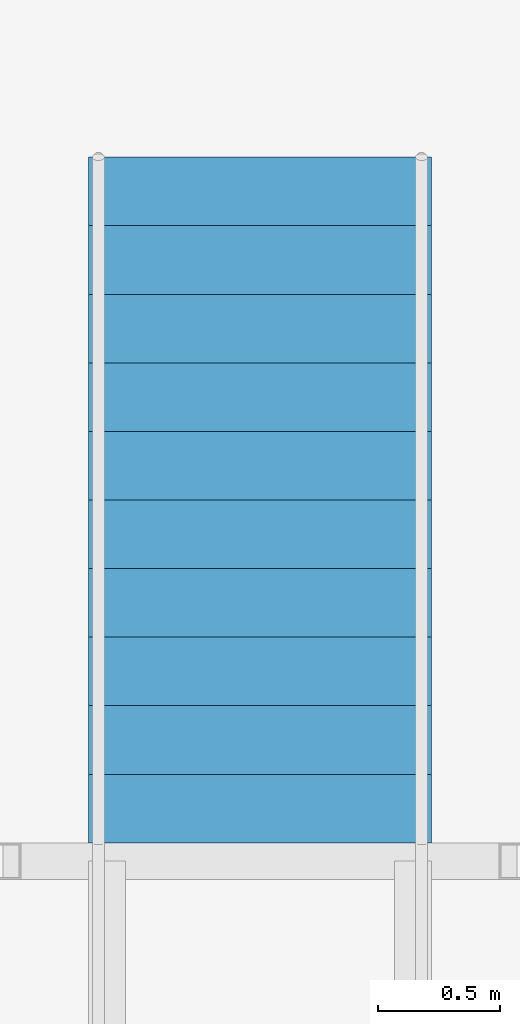
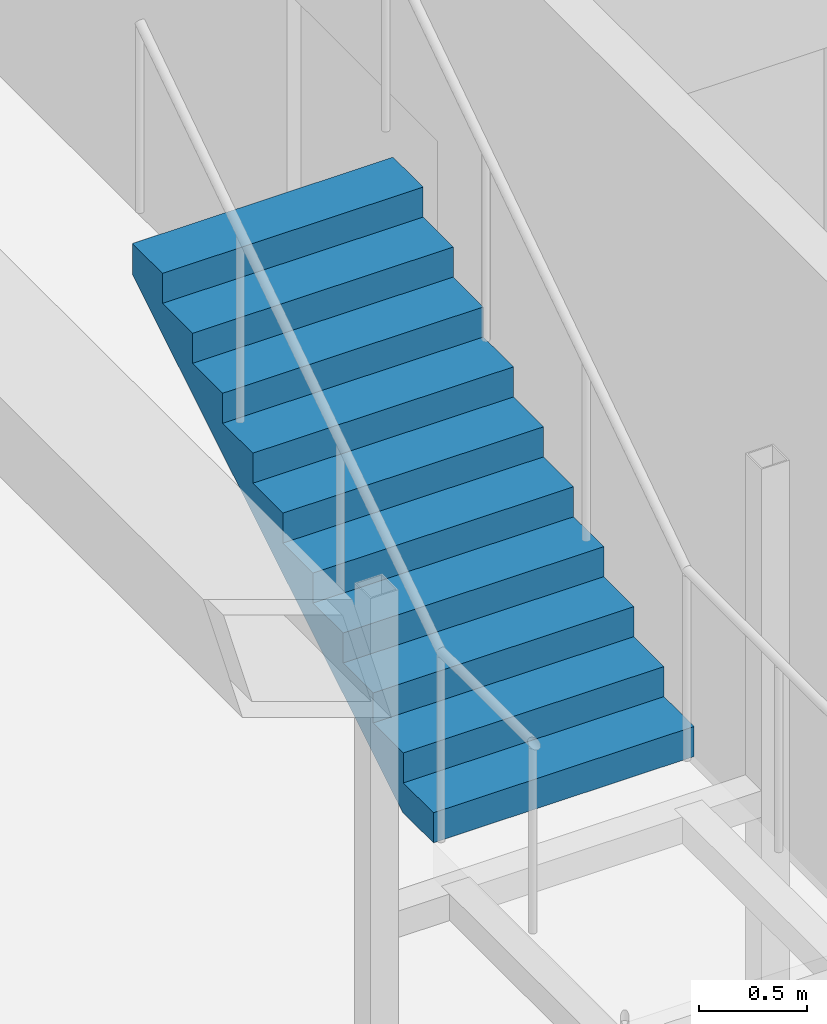
# One storey, part 28 of 29: 1 stair flight, 1 element without a shape of its own.
"""IFC4 building model written with IfcOpenShell, lengths in metres."""

from ifc_helpers import new_model, si_unit, direction, frame, origin, place, context, subcontext, project, spatial, triangles, material, type_object, element, aggregate, save


model = new_model("IFC4")

# Units and contexts
model_context = context("Model", 3, precision=1e-05, world=origin(), true_north=direction((0.0, 1.0)))
body_context = subcontext(model_context, "Body", "Model", "MODEL_VIEW")
ifc_project = project(units=[si_unit("LENGTHUNIT", "METRE"), si_unit("AREAUNIT", "SQUARE_METRE"), si_unit("VOLUMEUNIT", "CUBIC_METRE"), si_unit("PLANEANGLEUNIT", "RADIAN"), si_unit("MASSUNIT", "GRAM", prefix="KILO")], contexts=[model_context])

# Site, building, storey
site_placement = place(None, origin())
site = spatial("IfcSite", under=ifc_project, at=site_placement, CompositionType="ELEMENT")
building_placement = place(site_placement, origin())
building = spatial("IfcBuilding", under=site, at=building_placement, Name="Orbita Commons", CompositionType="ELEMENT")
storey_placement = place(building_placement, frame((0.0, 0.0, 163.60009765625)))
storey = spatial("IfcBuildingStorey", under=building, at=storey_placement, Name="L40", CompositionType="ELEMENT", Elevation=163.60009765625)

# Stair, stair flight
ifc_material_1 = material(Name="Steel ASTM A992 stringers, precast concrete C40/50 terrazzo treads", Category="concrete")
stair_type = type_object("IfcStairType", Name="Feature stair 22 risers 170 x 280 x 1400", PredefinedType="STRAIGHT_RUN_STAIR", material=ifc_material_1)
stair_placement = place(storey_placement, origin())
stair = element("IfcStair", 1, at=stair_placement, inside=storey, type_object=stair_type, Name="Neighbourhood stair L40 to L41", PredefinedType="STRAIGHT_RUN_STAIR")
ifc_material_2 = material(Name="Steel ASTM A992 stringers, precast concrete C40/50 terrazzo treads", Category="concrete")
stair_flight_type = type_object("IfcStairFlightType", Name="Feature stair flight 11 risers 170 x 1400", PredefinedType="STRAIGHT", material=ifc_material_2)
stair_flight_placement = place(storey_placement, frame((13.5, 42.31005859375, 1.875), z_axis=(0.0, 0.0, 1.0), x_axis=(0.0, 1.0, 0.0)))
stair_flight = element("IfcStairFlight", 2, at=stair_flight_placement, type_object=stair_flight_type, Name="FS flight 2", NumberOfRisers=11, NumberOfTreads=10, PredefinedType="STRAIGHT", RiserHeight=0.170454545, TreadLength=0.28, context=body_context, shape_type="Tessellation", body=[
    triangles([(0.0, 0.699951, 0.0), (0.0, 0.699951, 0.021307), (0.0, 0.583293, 0.021307), (0.0, 0.583293, 0.0), (0.0, 0.466634, 0.021307), (0.0, 0.466634, 0.0), (0.0, 0.349976, 0.021307), (0.0, 0.349976, 0.0), (0.0, 0.233317, 0.021307), (0.0, 0.233317, 0.0), (0.0, 0.116659, 0.021307), (0.0, 0.116659, 0.0), (0.0, 0.0, 0.021307), (0.0, 0.0, 0.0), (0.0, -0.116659, 0.021307), (0.0, -0.116659, 0.0), (0.0, -0.233317, 0.021307), (0.0, -0.233317, 0.0), (0.0, -0.349976, 0.021307), (0.0, -0.349976, 0.0), (0.0, -0.466634, 0.021307), (0.0, -0.466634, 0.0), (0.0, -0.583293, 0.021307), (0.0, -0.583293, 0.0), (0.0, -0.699951, 0.021307), (0.0, -0.699951, 0.0), (0.0, 0.699951, 0.042614), (0.0, 0.583293, 0.042614), (0.0, 0.466634, 0.042614), (0.0, 0.349976, 0.042614), (0.0, 0.233317, 0.042614), (0.0, 0.116659, 0.042614), (0.0, 0.0, 0.042614), (0.0, -0.116659, 0.042614), (0.0, -0.233317, 0.042614), (0.0, -0.349976, 0.042614), (0.0, -0.466634, 0.042614), (0.0, -0.583293, 0.042614), (0.0, -0.699951, 0.042614), (0.0, 0.699951, 0.06392), (0.0, 0.583293, 0.06392), (0.0, 0.466634, 0.06392), (0.0, 0.349976, 0.06392), (0.0, 0.233317, 0.06392), (0.0, 0.116659, 0.06392), (0.0, 0.0, 0.06392), (0.0, -0.116659, 0.06392), (0.0, -0.233317, 0.06392), (0.0, -0.349976, 0.06392), (0.0, -0.466634, 0.06392), (0.0, -0.583293, 0.06392), (0.0, -0.699951, 0.06392), (0.0, 0.699951, 0.085227), (0.0, 0.583293, 0.085227), (0.0, 0.466634, 0.085227), (0.0, 0.349976, 0.085227), (0.0, 0.233317, 0.085227), (0.0, 0.116659, 0.085227), (0.0, 0.0, 0.085227), (0.0, -0.116659, 0.085227), (0.0, -0.233317, 0.085227), (0.0, -0.349976, 0.085227), (0.0, -0.466634, 0.085227), (0.0, -0.583293, 0.085227), (0.0, -0.699951, 0.085227), (0.0, 0.699951, 0.106534), (0.0, 0.583293, 0.106534), (0.0, 0.466634, 0.106534), (0.0, 0.349976, 0.106534), (0.0, 0.233317, 0.106534), (0.0, 0.116659, 0.106534), (0.0, 0.0, 0.106534), (0.0, -0.116659, 0.106534), (0.0, -0.233317, 0.106534), (0.0, -0.349976, 0.106534), (0.0, -0.466634, 0.106534), (0.0, -0.583293, 0.106534), (0.0, -0.699951, 0.106534), (0.0, 0.699951, 0.127841), (0.0, 0.583293, 0.127841), (0.0, 0.466634, 0.127841), (0.0, 0.349976, 0.127841), (0.0, 0.233317, 0.127841), (0.0, 0.116659, 0.127841), (0.0, 0.0, 0.127841), (0.0, -0.116659, 0.127841), (0.0, -0.233317, 0.127841), (0.0, -0.349976, 0.127841), (0.0, -0.466634, 0.127841), (0.0, -0.583293, 0.127841), (0.0, -0.699951, 0.127841), (0.0, 0.699951, 0.149148), (0.0, 0.583293, 0.149148), (0.0, 0.466634, 0.149148), (0.0, 0.349976, 0.149148), (0.0, 0.233317, 0.149148), (0.0, 0.116659, 0.149148), (0.0, 0.0, 0.149148), (0.0, -0.116659, 0.149148), (0.0, -0.233317, 0.149148), (0.0, -0.349976, 0.149148), (0.0, -0.466634, 0.149148), (0.0, -0.583293, 0.149148), (0.0, -0.699951, 0.149148), (0.0, 0.699951, 0.170455), (0.0, 0.583293, 0.170455), (0.0, 0.466634, 0.170455), (0.0, 0.349976, 0.170455), (0.0, 0.233317, 0.170455), (0.0, 0.116659, 0.170455), (0.0, 0.0, 0.170455), (0.0, -0.116659, 0.170455), (0.0, -0.233317, 0.170455), (0.0, -0.349976, 0.170455), (0.0, -0.466634, 0.170455), (0.0, -0.583293, 0.170455), (0.0, -0.699951, 0.170455), (0.28, 0.699951, 0.170455), (0.28, 0.583293, 0.170455), (0.28, 0.466634, 0.170455), (0.28, 0.349976, 0.170455), (0.28, 0.233317, 0.170455), (0.28, 0.116659, 0.170455), (0.28, 0.0, 0.170455), (0.28, -0.116659, 0.170455), (0.28, -0.233317, 0.170455), (0.28, -0.349976, 0.170455), (0.28, -0.466634, 0.170455), (0.28, -0.583293, 0.170455), (0.28, -0.699951, 0.170455), (0.28, 0.699951, 0.340909), (0.28, 0.583293, 0.340909), (0.28, 0.466634, 0.340909), (0.28, 0.349976, 0.340909), (0.28, 0.233317, 0.340909), (0.28, 0.116659, 0.340909), (0.28, 0.0, 0.340909), (0.28, -0.116659, 0.340909), (0.28, -0.233317, 0.340909), (0.28, -0.349976, 0.340909), (0.28, -0.466634, 0.340909), (0.28, -0.583293, 0.340909), (0.28, -0.699951, 0.340909), (0.56, 0.699951, 0.340909), (0.56, 0.583293, 0.340909), (0.56, 0.466634, 0.340909), (0.56, 0.349976, 0.340909), (0.56, 0.233317, 0.340909), (0.56, 0.116659, 0.340909), (0.56, 0.0, 0.340909), (0.56, -0.116659, 0.340909), (0.56, -0.233317, 0.340909), (0.56, -0.349976, 0.340909), (0.56, -0.466634, 0.340909), (0.56, -0.583293, 0.340909), (0.56, -0.699951, 0.340909), (0.56, 0.699951, 0.511364), (0.56, 0.583293, 0.511364), (0.56, 0.466634, 0.511364), (0.56, 0.349976, 0.511364), (0.56, 0.233317, 0.511364), (0.56, 0.116659, 0.511364), (0.56, 0.0, 0.511364), (0.56, -0.116659, 0.511364), (0.56, -0.233317, 0.511364), (0.56, -0.349976, 0.511364), (0.56, -0.466634, 0.511364), (0.56, -0.583293, 0.511364), (0.56, -0.699951, 0.511364), (0.84, 0.699951, 0.511364), (0.84, 0.583293, 0.511364), (0.84, 0.466634, 0.511364), (0.84, 0.349976, 0.511364), (0.84, 0.233317, 0.511364), (0.84, 0.116659, 0.511364), (0.84, 0.0, 0.511364), (0.84, -0.116659, 0.511364), (0.84, -0.233317, 0.511364), (0.84, -0.349976, 0.511364), (0.84, -0.466634, 0.511364), (0.84, -0.583293, 0.511364), (0.84, -0.699951, 0.511364), (0.84, 0.699951, 0.681818), (0.84, 0.583293, 0.681818), (0.84, 0.466634, 0.681818), (0.84, 0.349976, 0.681818), (0.84, 0.233317, 0.681818), (0.84, 0.116659, 0.681818), (0.84, 0.0, 0.681818), (0.84, -0.116659, 0.681818), (0.84, -0.233317, 0.681818), (0.84, -0.349976, 0.681818), (0.84, -0.466634, 0.681818), (0.84, -0.583293, 0.681818), (0.84, -0.699951, 0.681818), (1.12, 0.699951, 0.681818), (1.12, 0.583293, 0.681818), (1.12, 0.466634, 0.681818), (1.12, 0.349976, 0.681818), (1.12, 0.233317, 0.681818), (1.12, 0.116659, 0.681818), (1.12, 0.0, 0.681818), (1.12, -0.116659, 0.681818), (1.12, -0.233317, 0.681818), (1.12, -0.349976, 0.681818), (1.12, -0.466634, 0.681818), (1.12, -0.583293, 0.681818), (1.12, -0.699951, 0.681818), (1.12, 0.699951, 0.852273), (1.12, 0.583293, 0.852273), (1.12, 0.466634, 0.852273), (1.12, 0.349976, 0.852273), (1.12, 0.233317, 0.852273), (1.12, 0.116659, 0.852273), (1.12, 0.0, 0.852273), (1.12, -0.116659, 0.852273), (1.12, -0.233317, 0.852273), (1.12, -0.349976, 0.852273), (1.12, -0.466634, 0.852273), (1.12, -0.583293, 0.852273), (1.12, -0.699951, 0.852273), (1.4, 0.699951, 0.852273), (1.4, 0.583293, 0.852273), (1.4, 0.466634, 0.852273), (1.4, 0.349976, 0.852273), (1.4, 0.233317, 0.852273), (1.4, 0.116659, 0.852273), (1.4, 0.0, 0.852273), (1.4, -0.116659, 0.852273), (1.4, -0.233317, 0.852273), (1.4, -0.349976, 0.852273), (1.4, -0.466634, 0.852273), (1.4, -0.583293, 0.852273), (1.4, -0.699951, 0.852273), (1.4, 0.699951, 1.022727), (1.4, 0.583293, 1.022727), (1.4, 0.466634, 1.022727), (1.4, 0.349976, 1.022727), (1.4, 0.233317, 1.022727), (1.4, 0.116659, 1.022727), (1.4, 0.0, 1.022727), (1.4, -0.116659, 1.022727), (1.4, -0.233317, 1.022727), (1.4, -0.349976, 1.022727), (1.4, -0.466634, 1.022727), (1.4, -0.583293, 1.022727), (1.4, -0.699951, 1.022727), (1.68, 0.699951, 1.022727), (1.68, 0.583293, 1.022727), (1.68, 0.466634, 1.022727), (1.68, 0.349976, 1.022727), (1.68, 0.233317, 1.022727), (1.68, 0.116659, 1.022727), (1.68, 0.0, 1.022727), (1.68, -0.116659, 1.022727), (1.68, -0.233317, 1.022727), (1.68, -0.349976, 1.022727), (1.68, -0.466634, 1.022727), (1.68, -0.583293, 1.022727), (1.68, -0.699951, 1.022727), (1.68, 0.699951, 1.193182), (1.68, 0.583293, 1.193182), (1.68, 0.466634, 1.193182), (1.68, 0.349976, 1.193182), (1.68, 0.233317, 1.193182), (1.68, 0.116659, 1.193182), (1.68, 0.0, 1.193182), (1.68, -0.116659, 1.193182), (1.68, -0.233317, 1.193182), (1.68, -0.349976, 1.193182), (1.68, -0.466634, 1.193182), (1.68, -0.583293, 1.193182), (1.68, -0.699951, 1.193182), (1.96, 0.699951, 1.193182), (1.96, 0.583293, 1.193182), (1.96, 0.466634, 1.193182), (1.96, 0.349976, 1.193182), (1.96, 0.233317, 1.193182), (1.96, 0.116659, 1.193182), (1.96, 0.0, 1.193182), (1.96, -0.116659, 1.193182), (1.96, -0.233317, 1.193182), (1.96, -0.349976, 1.193182), (1.96, -0.466634, 1.193182), (1.96, -0.583293, 1.193182), (1.96, -0.699951, 1.193182), (1.96, 0.699951, 1.363636), (1.96, 0.583293, 1.363636), (1.96, 0.466634, 1.363636), (1.96, 0.349976, 1.363636), (1.96, 0.233317, 1.363636), (1.96, 0.116659, 1.363636), (1.96, 0.0, 1.363636), (1.96, -0.116659, 1.363636), (1.96, -0.233317, 1.363636), (1.96, -0.349976, 1.363636), (1.96, -0.466634, 1.363636), (1.96, -0.583293, 1.363636), (1.96, -0.699951, 1.363636), (2.24, 0.699951, 1.363636), (2.24, 0.583293, 1.363636), (2.24, 0.466634, 1.363636), (2.24, 0.349976, 1.363636), (2.24, 0.233317, 1.363636), (2.24, 0.116659, 1.363636), (2.24, 0.0, 1.363636), (2.24, -0.116659, 1.363636), (2.24, -0.233317, 1.363636), (2.24, -0.349976, 1.363636), (2.24, -0.466634, 1.363636), (2.24, -0.583293, 1.363636), (2.24, -0.699951, 1.363636), (2.24, 0.699951, 1.534091), (2.24, 0.583293, 1.534091), (2.24, 0.466634, 1.534091), (2.24, 0.349976, 1.534091), (2.24, 0.233317, 1.534091), (2.24, 0.116659, 1.534091), (2.24, 0.0, 1.534091), (2.24, -0.116659, 1.534091), (2.24, -0.233317, 1.534091), (2.24, -0.349976, 1.534091), (2.24, -0.466634, 1.534091), (2.24, -0.583293, 1.534091), (2.24, -0.699951, 1.534091), (2.52, 0.699951, 1.534091), (2.52, 0.583293, 1.534091), (2.52, 0.466634, 1.534091), (2.52, 0.349976, 1.534091), (2.52, 0.233317, 1.534091), (2.52, 0.116659, 1.534091), (2.52, 0.0, 1.534091), (2.52, -0.116659, 1.534091), (2.52, -0.233317, 1.534091), (2.52, -0.349976, 1.534091), (2.52, -0.466634, 1.534091), (2.52, -0.583293, 1.534091), (2.52, -0.699951, 1.534091), (2.52, 0.699951, 1.704545), (2.52, 0.583293, 1.704545), (2.52, 0.466634, 1.704545), (2.52, 0.349976, 1.704545), (2.52, 0.233317, 1.704545), (2.52, 0.116659, 1.704545), (2.52, 0.0, 1.704545), (2.52, -0.116659, 1.704545), (2.52, -0.233317, 1.704545), (2.52, -0.349976, 1.704545), (2.52, -0.466634, 1.704545), (2.52, -0.583293, 1.704545), (2.52, -0.699951, 1.704545), (2.8, 0.699951, 1.704545), (2.8, 0.583293, 1.704545), (2.8, 0.466634, 1.704545), (2.8, 0.349976, 1.704545), (2.8, 0.233317, 1.704545), (2.8, 0.116659, 1.704545), (2.8, 0.0, 1.704545), (2.8, -0.116659, 1.704545), (2.8, -0.233317, 1.704545), (2.8, -0.349976, 1.704545), (2.8, -0.466634, 1.704545), (2.8, -0.583293, 1.704545), (2.8, -0.699951, 1.704545), (2.8, 0.699951, 1.682609), (2.8, 0.583293, 1.682609), (2.8, 0.466634, 1.682609), (2.8, 0.349976, 1.682609), (2.8, 0.233317, 1.682609), (2.8, 0.116659, 1.682609), (2.8, 0.0, 1.682609), (2.8, -0.116659, 1.682609), (2.8, -0.233317, 1.682609), (2.8, -0.349976, 1.682609), (2.8, -0.466634, 1.682609), (2.8, -0.583293, 1.682609), (2.8, -0.699951, 1.682609), (2.8, 0.699951, 1.660672), (2.8, 0.583293, 1.660672), (2.8, 0.466634, 1.660672), (2.8, 0.349976, 1.660672), (2.8, 0.233317, 1.660672), (2.8, 0.116659, 1.660672), (2.8, 0.0, 1.660672), (2.8, -0.116659, 1.660672), (2.8, -0.233317, 1.660672), (2.8, -0.349976, 1.660672), (2.8, -0.466634, 1.660672), (2.8, -0.583293, 1.660672), (2.8, -0.699951, 1.660672), (2.8, 0.699951, 1.638735), (2.8, 0.583293, 1.638735), (2.8, 0.466634, 1.638735), (2.8, 0.349976, 1.638735), (2.8, 0.233317, 1.638735), (2.8, 0.116659, 1.638735), (2.8, 0.0, 1.638735), (2.8, -0.116659, 1.638735), (2.8, -0.233317, 1.638735), (2.8, -0.349976, 1.638735), (2.8, -0.466634, 1.638735), (2.8, -0.583293, 1.638735), (2.8, -0.699951, 1.638735), (2.8, 0.699951, 1.616798), (2.8, 0.583293, 1.616798), (2.8, 0.466634, 1.616798), (2.8, 0.349976, 1.616798), (2.8, 0.233317, 1.616798), (2.8, 0.116659, 1.616798), (2.8, 0.0, 1.616798), (2.8, -0.116659, 1.616798), (2.8, -0.233317, 1.616798), (2.8, -0.349976, 1.616798), (2.8, -0.466634, 1.616798), (2.8, -0.583293, 1.616798), (2.8, -0.699951, 1.616798), (2.8, 0.699951, 1.594861), (2.8, 0.583293, 1.594861), (2.8, 0.466634, 1.594861), (2.8, 0.349976, 1.594861), (2.8, 0.233317, 1.594861), (2.8, 0.116659, 1.594861), (2.8, 0.0, 1.594861), (2.8, -0.116659, 1.594861), (2.8, -0.233317, 1.594861), (2.8, -0.349976, 1.594861), (2.8, -0.466634, 1.594861), (2.8, -0.583293, 1.594861), (2.8, -0.699951, 1.594861), (2.8, 0.699951, 1.572925), (2.8, 0.583293, 1.572925), (2.8, 0.466634, 1.572925), (2.8, 0.349976, 1.572925), (2.8, 0.233317, 1.572925), (2.8, 0.116659, 1.572925), (2.8, 0.0, 1.572925), (2.8, -0.116659, 1.572925), (2.8, -0.233317, 1.572925), (2.8, -0.349976, 1.572925), (2.8, -0.466634, 1.572925), (2.8, -0.583293, 1.572925), (2.8, -0.699951, 1.572925), (2.8, 0.699951, 1.550988), (2.8, 0.583293, 1.550988), (2.8, 0.466634, 1.550988), (2.8, 0.349976, 1.550988), (2.8, 0.233317, 1.550988), (2.8, 0.116659, 1.550988), (2.8, 0.0, 1.550988), (2.8, -0.116659, 1.550988), (2.8, -0.233317, 1.550988), (2.8, -0.349976, 1.550988), (2.8, -0.466634, 1.550988), (2.8, -0.583293, 1.550988), (2.8, -0.699951, 1.550988), (2.8, 0.699951, 1.529051), (2.8, 0.583293, 1.529051), (2.8, 0.466634, 1.529051), (2.8, 0.349976, 1.529051), (2.8, 0.233317, 1.529051), (2.8, 0.116659, 1.529051), (2.8, 0.0, 1.529051), (2.8, -0.116659, 1.529051), (2.8, -0.233317, 1.529051), (2.8, -0.349976, 1.529051), (2.8, -0.466634, 1.529051), (2.8, -0.583293, 1.529051), (2.8, -0.699951, 1.529051), (0.288279, 0.699951, 0.0), (0.288279, 0.583293, 0.0), (0.288279, 0.466634, 0.0), (0.288279, 0.349976, 0.0), (0.288279, 0.233317, 0.0), (0.288279, 0.116659, 0.0), (0.288279, 0.0, 0.0), (0.288279, -0.116659, 0.0), (0.288279, -0.233317, 0.0), (0.288279, -0.349976, 0.0), (0.288279, -0.466634, 0.0), (0.288279, -0.583293, 0.0), (0.288279, -0.699951, 0.0)], [[3, 2, 1], [4, 3, 1], [5, 3, 4], [6, 5, 4], [7, 5, 6], [8, 7, 6], [9, 7, 8], [10, 9, 8], [11, 9, 10], [12, 11, 10], [13, 11, 12], [14, 13, 12], [15, 13, 14], [16, 15, 14], [17, 15, 16], [18, 17, 16], [19, 17, 18], [20, 19, 18], [21, 19, 20], [22, 21, 20], [23, 21, 22], [24, 23, 22], [25, 23, 24], [26, 25, 24], [28, 27, 2], [3, 28, 2], [29, 28, 3], [5, 29, 3], [30, 29, 5], [7, 30, 5], [31, 30, 7], [9, 31, 7], [32, 31, 9], [11, 32, 9], [33, 32, 11], [13, 33, 11], [34, 33, 13], [15, 34, 13], [35, 34, 15], [17, 35, 15], [36, 35, 17], [19, 36, 17], [37, 36, 19], [21, 37, 19], [38, 37, 21], [23, 38, 21], [39, 38, 23], [25, 39, 23], [41, 40, 27], [28, 41, 27], [42, 41, 28], [29, 42, 28], [43, 42, 29], [30, 43, 29], [44, 43, 30], [31, 44, 30], [45, 44, 31], [32, 45, 31], [46, 45, 32], [33, 46, 32], [47, 46, 33], [34, 47, 33], [48, 47, 34], [35, 48, 34], [49, 48, 35], [36, 49, 35], [50, 49, 36], [37, 50, 36], [51, 50, 37], [38, 51, 37], [52, 51, 38], [39, 52, 38], [54, 53, 40], [41, 54, 40], [55, 54, 41], [42, 55, 41], [56, 55, 42], [43, 56, 42], [57, 56, 43], [44, 57, 43], [58, 57, 44], [45, 58, 44], [59, 58, 45], [46, 59, 45], [60, 59, 46], [47, 60, 46], [61, 60, 47], [48, 61, 47], [62, 61, 48], [49, 62, 48], [63, 62, 49], [50, 63, 49], [64, 63, 50], [51, 64, 50], [65, 64, 51], [52, 65, 51], [67, 66, 53], [54, 67, 53], [68, 67, 54], [55, 68, 54], [69, 68, 55], [56, 69, 55], [70, 69, 56], [57, 70, 56], [71, 70, 57], [58, 71, 57], [72, 71, 58], [59, 72, 58], [73, 72, 59], [60, 73, 59], [74, 73, 60], [61, 74, 60], [75, 74, 61], [62, 75, 61], [76, 75, 62], [63, 76, 62], [77, 76, 63], [64, 77, 63], [78, 77, 64], [65, 78, 64], [80, 79, 66], [67, 80, 66], [81, 80, 67], [68, 81, 67], [82, 81, 68], [69, 82, 68], [83, 82, 69], [70, 83, 69], [84, 83, 70], [71, 84, 70], [85, 84, 71], [72, 85, 71], [86, 85, 72], [73, 86, 72], [87, 86, 73], [74, 87, 73], [88, 87, 74], [75, 88, 74], [89, 88, 75], [76, 89, 75], [90, 89, 76], [77, 90, 76], [91, 90, 77], [78, 91, 77], [93, 92, 79], [80, 93, 79], [94, 93, 80], [81, 94, 80], [95, 94, 81], [82, 95, 81], [96, 95, 82], [83, 96, 82], [97, 96, 83], [84, 97, 83], [98, 97, 84], [85, 98, 84], [99, 98, 85], [86, 99, 85], [100, 99, 86], [87, 100, 86], [101, 100, 87], [88, 101, 87], [102, 101, 88], [89, 102, 88], [103, 102, 89], [90, 103, 89], [104, 103, 90], [91, 104, 90], [106, 105, 92], [93, 106, 92], [107, 106, 93], [94, 107, 93], [108, 107, 94], [95, 108, 94], [109, 108, 95], [96, 109, 95], [110, 109, 96], [97, 110, 96], [111, 110, 97], [98, 111, 97], [112, 111, 98], [99, 112, 98], [113, 112, 99], [100, 113, 99], [114, 113, 100], [101, 114, 100], [115, 114, 101], [102, 115, 101], [116, 115, 102], [103, 116, 102], [117, 116, 103], [104, 117, 103], [119, 118, 105], [106, 119, 105], [120, 119, 106], [107, 120, 106], [121, 120, 107], [108, 121, 107], [122, 121, 108], [109, 122, 108], [123, 122, 109], [110, 123, 109], [124, 123, 110], [111, 124, 110], [125, 124, 111], [112, 125, 111], [126, 125, 112], [113, 126, 112], [127, 126, 113], [114, 127, 113], [128, 127, 114], [115, 128, 114], [129, 128, 115], [116, 129, 115], [130, 129, 116], [117, 130, 116], [132, 131, 118], [119, 132, 118], [133, 132, 119], [120, 133, 119], [134, 133, 120], [121, 134, 120], [135, 134, 121], [122, 135, 121], [136, 135, 122], [123, 136, 122], [137, 136, 123], [124, 137, 123], [138, 137, 124], [125, 138, 124], [139, 138, 125], [126, 139, 125], [140, 139, 126], [127, 140, 126], [141, 140, 127], [128, 141, 127], [142, 141, 128], [129, 142, 128], [143, 142, 129], [130, 143, 129], [145, 144, 131], [132, 145, 131], [146, 145, 132], [133, 146, 132], [147, 146, 133], [134, 147, 133], [148, 147, 134], [135, 148, 134], [149, 148, 135], [136, 149, 135], [150, 149, 136], [137, 150, 136], [151, 150, 137], [138, 151, 137], [152, 151, 138], [139, 152, 138], [153, 152, 139], [140, 153, 139], [154, 153, 140], [141, 154, 140], [155, 154, 141], [142, 155, 141], [156, 155, 142], [143, 156, 142], [158, 157, 144], [145, 158, 144], [159, 158, 145], [146, 159, 145], [160, 159, 146], [147, 160, 146], [161, 160, 147], [148, 161, 147], [162, 161, 148], [149, 162, 148], [163, 162, 149], [150, 163, 149], [164, 163, 150], [151, 164, 150], [165, 164, 151], [152, 165, 151], [166, 165, 152], [153, 166, 152], [167, 166, 153], [154, 167, 153], [168, 167, 154], [155, 168, 154], [169, 168, 155], [156, 169, 155], [171, 170, 157], [158, 171, 157], [172, 171, 158], [159, 172, 158], [173, 172, 159], [160, 173, 159], [174, 173, 160], [161, 174, 160], [175, 174, 161], [162, 175, 161], [176, 175, 162], [163, 176, 162], [177, 176, 163], [164, 177, 163], [178, 177, 164], [165, 178, 164], [179, 178, 165], [166, 179, 165], [180, 179, 166], [167, 180, 166], [181, 180, 167], [168, 181, 167], [182, 181, 168], [169, 182, 168], [184, 183, 170], [171, 184, 170], [185, 184, 171], [172, 185, 171], [186, 185, 172], [173, 186, 172], [187, 186, 173], [174, 187, 173], [188, 187, 174], [175, 188, 174], [189, 188, 175], [176, 189, 175], [190, 189, 176], [177, 190, 176], [191, 190, 177], [178, 191, 177], [192, 191, 178], [179, 192, 178], [193, 192, 179], [180, 193, 179], [194, 193, 180], [181, 194, 180], [195, 194, 181], [182, 195, 181], [197, 196, 183], [184, 197, 183], [198, 197, 184], [185, 198, 184], [199, 198, 185], [186, 199, 185], [200, 199, 186], [187, 200, 186], [201, 200, 187], [188, 201, 187], [202, 201, 188], [189, 202, 188], [203, 202, 189], [190, 203, 189], [204, 203, 190], [191, 204, 190], [205, 204, 191], [192, 205, 191], [206, 205, 192], [193, 206, 192], [207, 206, 193], [194, 207, 193], [208, 207, 194], [195, 208, 194], [210, 209, 196], [197, 210, 196], [211, 210, 197], [198, 211, 197], [212, 211, 198], [199, 212, 198], [213, 212, 199], [200, 213, 199], [214, 213, 200], [201, 214, 200], [215, 214, 201], [202, 215, 201], [216, 215, 202], [203, 216, 202], [217, 216, 203], [204, 217, 203], [218, 217, 204], [205, 218, 204], [219, 218, 205], [206, 219, 205], [220, 219, 206], [207, 220, 206], [221, 220, 207], [208, 221, 207], [223, 222, 209], [210, 223, 209], [224, 223, 210], [211, 224, 210], [225, 224, 211], [212, 225, 211], [226, 225, 212], [213, 226, 212], [227, 226, 213], [214, 227, 213], [228, 227, 214], [215, 228, 214], [229, 228, 215], [216, 229, 215], [230, 229, 216], [217, 230, 216], [231, 230, 217], [218, 231, 217], [232, 231, 218], [219, 232, 218], [233, 232, 219], [220, 233, 219], [234, 233, 220], [221, 234, 220], [236, 235, 222], [223, 236, 222], [237, 236, 223], [224, 237, 223], [238, 237, 224], [225, 238, 224], [239, 238, 225], [226, 239, 225], [240, 239, 226], [227, 240, 226], [241, 240, 227], [228, 241, 227], [242, 241, 228], [229, 242, 228], [243, 242, 229], [230, 243, 229], [244, 243, 230], [231, 244, 230], [245, 244, 231], [232, 245, 231], [246, 245, 232], [233, 246, 232], [247, 246, 233], [234, 247, 233], [249, 248, 235], [236, 249, 235], [250, 249, 236], [237, 250, 236], [251, 250, 237], [238, 251, 237], [252, 251, 238], [239, 252, 238], [253, 252, 239], [240, 253, 239], [254, 253, 240], [241, 254, 240], [255, 254, 241], [242, 255, 241], [256, 255, 242], [243, 256, 242], [257, 256, 243], [244, 257, 243], [258, 257, 244], [245, 258, 244], [259, 258, 245], [246, 259, 245], [260, 259, 246], [247, 260, 246], [262, 261, 248], [249, 262, 248], [263, 262, 249], [250, 263, 249], [264, 263, 250], [251, 264, 250], [265, 264, 251], [252, 265, 251], [266, 265, 252], [253, 266, 252], [267, 266, 253], [254, 267, 253], [268, 267, 254], [255, 268, 254], [269, 268, 255], [256, 269, 255], [270, 269, 256], [257, 270, 256], [271, 270, 257], [258, 271, 257], [272, 271, 258], [259, 272, 258], [273, 272, 259], [260, 273, 259], [275, 274, 261], [262, 275, 261], [276, 275, 262], [263, 276, 262], [277, 276, 263], [264, 277, 263], [278, 277, 264], [265, 278, 264], [279, 278, 265], [266, 279, 265], [280, 279, 266], [267, 280, 266], [281, 280, 267], [268, 281, 267], [282, 281, 268], [269, 282, 268], [283, 282, 269], [270, 283, 269], [284, 283, 270], [271, 284, 270], [285, 284, 271], [272, 285, 271], [286, 285, 272], [273, 286, 272], [288, 287, 274], [275, 288, 274], [289, 288, 275], [276, 289, 275], [290, 289, 276], [277, 290, 276], [291, 290, 277], [278, 291, 277], [292, 291, 278], [279, 292, 278], [293, 292, 279], [280, 293, 279], [294, 293, 280], [281, 294, 280], [295, 294, 281], [282, 295, 281], [296, 295, 282], [283, 296, 282], [297, 296, 283], [284, 297, 283], [298, 297, 284], [285, 298, 284], [299, 298, 285], [286, 299, 285], [301, 300, 287], [288, 301, 287], [302, 301, 288], [289, 302, 288], [303, 302, 289], [290, 303, 289], [304, 303, 290], [291, 304, 290], [305, 304, 291], [292, 305, 291], [306, 305, 292], [293, 306, 292], [307, 306, 293], [294, 307, 293], [308, 307, 294], [295, 308, 294], [309, 308, 295], [296, 309, 295], [310, 309, 296], [297, 310, 296], [311, 310, 297], [298, 311, 297], [312, 311, 298], [299, 312, 298], [314, 313, 300], [301, 314, 300], [315, 314, 301], [302, 315, 301], [316, 315, 302], [303, 316, 302], [317, 316, 303], [304, 317, 303], [318, 317, 304], [305, 318, 304], [319, 318, 305], [306, 319, 305], [320, 319, 306], [307, 320, 306], [321, 320, 307], [308, 321, 307], [322, 321, 308], [309, 322, 308], [323, 322, 309], [310, 323, 309], [324, 323, 310], [311, 324, 310], [325, 324, 311], [312, 325, 311], [327, 326, 313], [314, 327, 313], [328, 327, 314], [315, 328, 314], [329, 328, 315], [316, 329, 315], [330, 329, 316], [317, 330, 316], [331, 330, 317], [318, 331, 317], [332, 331, 318], [319, 332, 318], [333, 332, 319], [320, 333, 319], [334, 333, 320], [321, 334, 320], [335, 334, 321], [322, 335, 321], [336, 335, 322], [323, 336, 322], [337, 336, 323], [324, 337, 323], [338, 337, 324], [325, 338, 324], [340, 339, 326], [327, 340, 326], [341, 340, 327], [328, 341, 327], [342, 341, 328], [329, 342, 328], [343, 342, 329], [330, 343, 329], [344, 343, 330], [331, 344, 330], [345, 344, 331], [332, 345, 331], [346, 345, 332], [333, 346, 332], [347, 346, 333], [334, 347, 333], [348, 347, 334], [335, 348, 334], [349, 348, 335], [336, 349, 335], [350, 349, 336], [337, 350, 336], [351, 350, 337], [338, 351, 337], [353, 352, 339], [340, 353, 339], [354, 353, 340], [341, 354, 340], [355, 354, 341], [342, 355, 341], [356, 355, 342], [343, 356, 342], [357, 356, 343], [344, 357, 343], [358, 357, 344], [345, 358, 344], [359, 358, 345], [346, 359, 345], [360, 359, 346], [347, 360, 346], [361, 360, 347], [348, 361, 347], [362, 361, 348], [349, 362, 348], [363, 362, 349], [350, 363, 349], [364, 363, 350], [351, 364, 350], [366, 365, 352], [353, 366, 352], [367, 366, 353], [354, 367, 353], [368, 367, 354], [355, 368, 354], [369, 368, 355], [356, 369, 355], [370, 369, 356], [357, 370, 356], [371, 370, 357], [358, 371, 357], [372, 371, 358], [359, 372, 358], [373, 372, 359], [360, 373, 359], [374, 373, 360], [361, 374, 360], [375, 374, 361], [362, 375, 361], [376, 375, 362], [363, 376, 362], [377, 376, 363], [364, 377, 363], [379, 378, 365], [366, 379, 365], [380, 379, 366], [367, 380, 366], [381, 380, 367], [368, 381, 367], [382, 381, 368], [369, 382, 368], [383, 382, 369], [370, 383, 369], [384, 383, 370], [371, 384, 370], [385, 384, 371], [372, 385, 371], [386, 385, 372], [373, 386, 372], [387, 386, 373], [374, 387, 373], [388, 387, 374], [375, 388, 374], [389, 388, 375], [376, 389, 375], [390, 389, 376], [377, 390, 376], [392, 391, 378], [379, 392, 378], [393, 392, 379], [380, 393, 379], [394, 393, 380], [381, 394, 380], [395, 394, 381], [382, 395, 381], [396, 395, 382], [383, 396, 382], [397, 396, 383], [384, 397, 383], [398, 397, 384], [385, 398, 384], [399, 398, 385], [386, 399, 385], [400, 399, 386], [387, 400, 386], [401, 400, 387], [388, 401, 387], [402, 401, 388], [389, 402, 388], [403, 402, 389], [390, 403, 389], [405, 404, 391], [392, 405, 391], [406, 405, 392], [393, 406, 392], [407, 406, 393], [394, 407, 393], [408, 407, 394], [395, 408, 394], [409, 408, 395], [396, 409, 395], [410, 409, 396], [397, 410, 396], [411, 410, 397], [398, 411, 397], [412, 411, 398], [399, 412, 398], [413, 412, 399], [400, 413, 399], [414, 413, 400], [401, 414, 400], [415, 414, 401], [402, 415, 401], [416, 415, 402], [403, 416, 402], [418, 417, 404], [405, 418, 404], [419, 418, 405], [406, 419, 405], [420, 419, 406], [407, 420, 406], [421, 420, 407], [408, 421, 407], [422, 421, 408], [409, 422, 408], [423, 422, 409], [410, 423, 409], [424, 423, 410], [411, 424, 410], [425, 424, 411], [412, 425, 411], [426, 425, 412], [413, 426, 412], [427, 426, 413], [414, 427, 413], [428, 427, 414], [415, 428, 414], [429, 428, 415], [416, 429, 415], [431, 430, 417], [418, 431, 417], [432, 431, 418], [419, 432, 418], [433, 432, 419], [420, 433, 419], [434, 433, 420], [421, 434, 420], [435, 434, 421], [422, 435, 421], [436, 435, 422], [423, 436, 422], [437, 436, 423], [424, 437, 423], [438, 437, 424], [425, 438, 424], [439, 438, 425], [426, 439, 425], [440, 439, 426], [427, 440, 426], [441, 440, 427], [428, 441, 427], [442, 441, 428], [429, 442, 428], [444, 443, 430], [431, 444, 430], [445, 444, 431], [432, 445, 431], [446, 445, 432], [433, 446, 432], [447, 446, 433], [434, 447, 433], [448, 447, 434], [435, 448, 434], [449, 448, 435], [436, 449, 435], [450, 449, 436], [437, 450, 436], [451, 450, 437], [438, 451, 437], [452, 451, 438], [439, 452, 438], [453, 452, 439], [440, 453, 439], [454, 453, 440], [441, 454, 440], [455, 454, 441], [442, 455, 441], [457, 456, 443], [444, 457, 443], [458, 457, 444], [445, 458, 444], [459, 458, 445], [446, 459, 445], [460, 459, 446], [447, 460, 446], [461, 460, 447], [448, 461, 447], [462, 461, 448], [449, 462, 448], [463, 462, 449], [450, 463, 449], [464, 463, 450], [451, 464, 450], [465, 464, 451], [452, 465, 451], [466, 465, 452], [453, 466, 452], [467, 466, 453], [454, 467, 453], [468, 467, 454], [455, 468, 454], [470, 469, 456], [457, 470, 456], [471, 470, 457], [458, 471, 457], [472, 471, 458], [459, 472, 458], [473, 472, 459], [460, 473, 459], [474, 473, 460], [461, 474, 460], [475, 474, 461], [462, 475, 461], [476, 475, 462], [463, 476, 462], [477, 476, 463], [464, 477, 463], [478, 477, 464], [465, 478, 464], [479, 478, 465], [466, 479, 465], [480, 479, 466], [467, 480, 466], [481, 480, 467], [468, 481, 467], [4, 1, 469], [470, 4, 469], [6, 4, 470], [471, 6, 470], [8, 6, 471], [472, 8, 471], [10, 8, 472], [473, 10, 472], [12, 10, 473], [474, 12, 473], [14, 12, 474], [475, 14, 474], [16, 14, 475], [476, 16, 475], [18, 16, 476], [477, 18, 476], [20, 18, 477], [478, 20, 477], [22, 20, 478], [479, 22, 478], [24, 22, 479], [480, 24, 479], [26, 24, 480], [481, 26, 480], [456, 469, 1], [26, 481, 468], [443, 456, 1], [26, 468, 455], [430, 443, 1], [26, 455, 442], [417, 430, 1], [26, 442, 429], [404, 417, 1], [26, 429, 416], [391, 404, 1], [26, 416, 403], [378, 391, 1], [26, 403, 390], [365, 378, 1], [26, 390, 377], [339, 352, 365], [377, 364, 351], [326, 339, 365], [377, 351, 338], [300, 313, 326], [338, 325, 312], [300, 326, 365], [377, 338, 312], [274, 287, 300], [312, 299, 286], [274, 300, 365], [377, 312, 286], [248, 261, 274], [286, 273, 260], [248, 274, 365], [377, 286, 260], [222, 235, 248], [260, 247, 234], [222, 248, 365], [377, 260, 234], [196, 209, 222], [234, 221, 208], [196, 222, 365], [377, 234, 208], [170, 183, 196], [208, 195, 182], [170, 196, 365], [377, 208, 182], [144, 157, 170], [182, 169, 156], [144, 170, 365], [377, 182, 156], [118, 131, 144], [156, 143, 130], [118, 144, 365], [377, 156, 130], [118, 365, 1], [26, 377, 130], [92, 105, 118], [130, 117, 104], [79, 92, 118], [130, 104, 91], [66, 79, 118], [130, 91, 78], [53, 66, 118], [130, 78, 65], [40, 53, 118], [130, 65, 52], [27, 40, 118], [130, 52, 39], [2, 27, 118], [130, 39, 25], [1, 2, 118], [130, 25, 26]], closed=True),
])
aggregate(stair, [stair_flight])

save(model, "model.ifc")
